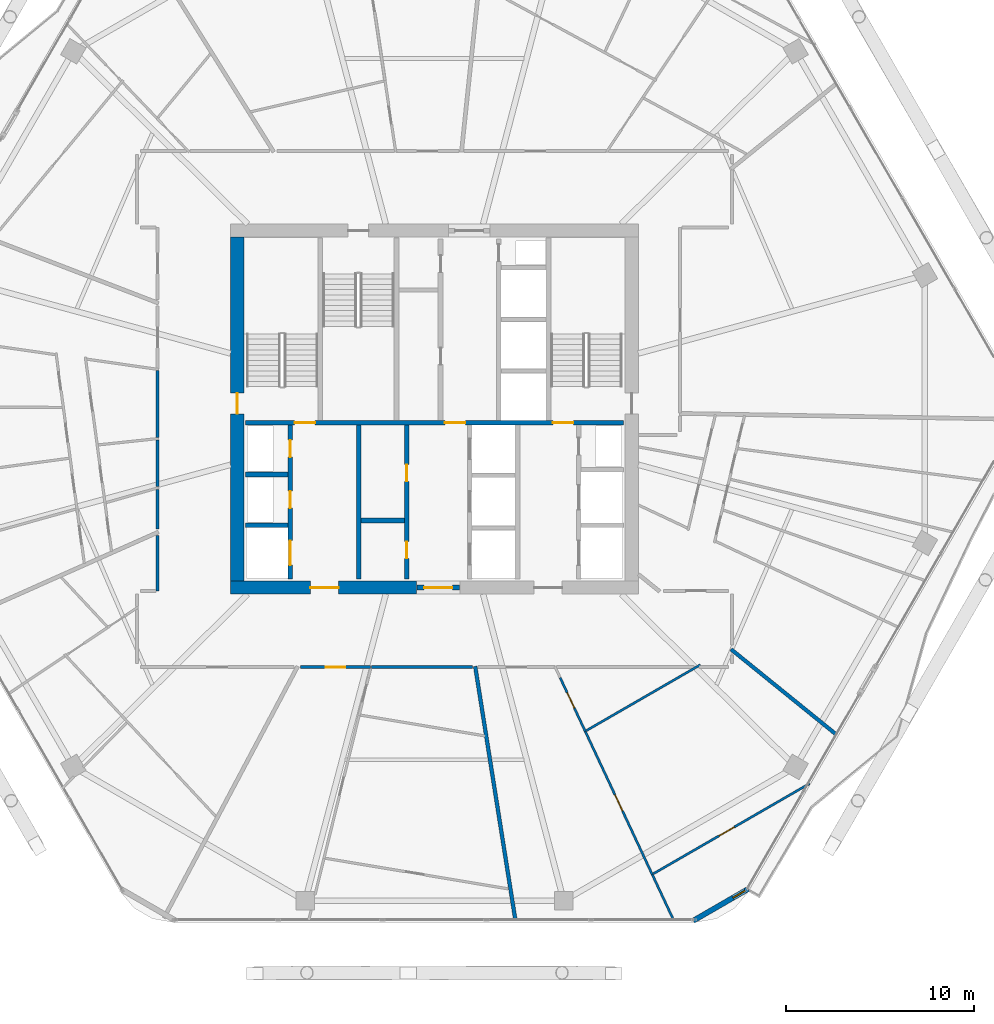
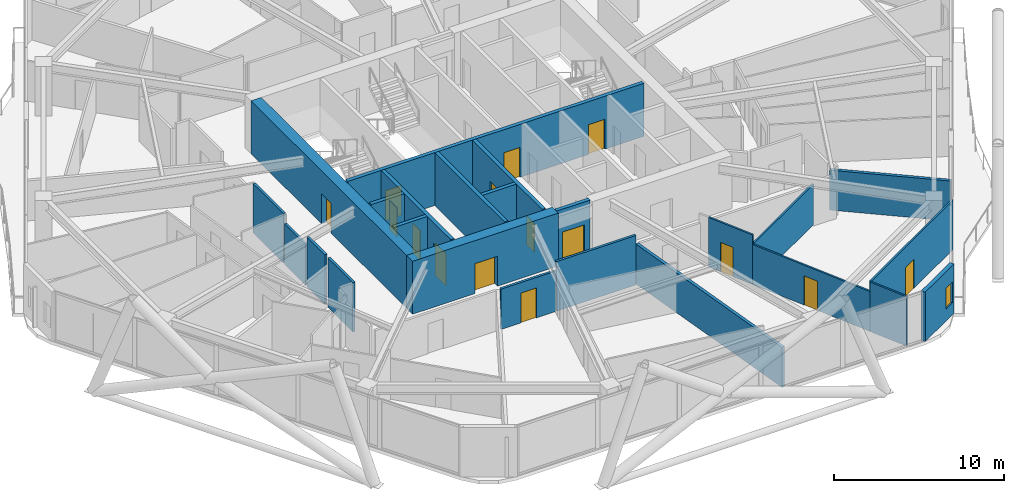
# One storey, part 23 of 30: 24 walls, 15 doors, 1 window, 16 openings.
"""IFC4 building model written with IfcOpenShell, lengths in metres."""

import ifcopenshell
import ifcopenshell.guid

model = None  # the IFC model being written
_history = None  # IfcOwnerHistory: only IFC2X3 demands one
_inside = {}  # id of a spatial element -> (the spatial element, [elements in it])
_under = {}  # id of a project, library or spatial element -> (it, [spatial elements below it])
_declared = {}  # id of a project -> (the project, [libraries it declares])
_typed = {}  # id of a type object -> (the type object, [elements of that type])
_made_of = {}  # id of a material, layer set ... -> (it, [elements and type objects made of it])


def new_model(schema):
    """Start an empty IFC model of exactly this schema.

    Asked for "IFC4X3", IfcOpenShell would pick the latest addendum, in which some entities
    have other attributes; the version numbers below select the first issue.
    IFC2X3 requires an IfcOwnerHistory on every rooted entity: one is made here for all.
    """
    global model, _history
    if schema == "IFC4X3":
        model = ifcopenshell.file(schema_version=(4, 3, 0, 0))
    else:
        model = ifcopenshell.file(schema=schema)
    _inside.clear()
    _under.clear()
    _declared.clear()
    _typed.clear()
    _made_of.clear()
    _history = None
    if model.schema == "IFC2X3":
        org = make("IfcOrganization", Name="unknown")
        user = make(
            "IfcPersonAndOrganization",
            ThePerson=make("IfcPerson", FamilyName="unknown"),
            TheOrganization=org,
        )
        app = make(
            "IfcApplication",
            ApplicationDeveloper=org,
            Version="unknown",
            ApplicationFullName="unknown",
            ApplicationIdentifier="unknown",
        )
        _history = make(
            "IfcOwnerHistory",
            OwningUser=user,
            OwningApplication=app,
            ChangeAction="ADDED",
            CreationDate=0,
        )
    return model


def make(cls, **values):
    """One entity of the class cls with the attributes given. An attribute that is None is left unset."""
    return model.create_entity(
        cls, **{name: value for name, value in values.items() if value is not None}
    )


def rooted(cls, **values):
    """An entity with a GlobalId (a new one), such as an element, a storey or a relation."""
    return make(cls, GlobalId=ifcopenshell.guid.new(), OwnerHistory=_history, **values)


def si_unit(unit_type, name, prefix=None):
    """IfcSIUnit, for example si_unit("LENGTHUNIT", "METRE", prefix="MILLI")."""
    return make("IfcSIUnit", UnitType=unit_type, Prefix=prefix, Name=name)


def assignment(units):
    """IfcUnitAssignment: the units of a project."""
    return None if units is None else make("IfcUnitAssignment", Units=units)


def point(xyz):
    """IfcCartesianPoint."""
    return None if xyz is None else make("IfcCartesianPoint", Coordinates=xyz)


def direction(xyz):
    """IfcDirection."""
    return None if xyz is None else make("IfcDirection", DirectionRatios=xyz)


def frame(location, z_axis=None, x_axis=None):
    """IfcAxis2Placement3D, a coordinate frame: its origin and axes. An axis left out is left unset."""
    return make(
        "IfcAxis2Placement3D",
        Location=point(location),
        Axis=direction(z_axis),
        RefDirection=direction(x_axis),
    )


def frame_2d(location, x_axis=None):
    """IfcAxis2Placement2D, a coordinate frame in the plane: its origin and x axis."""
    return make(
        "IfcAxis2Placement2D", Location=point(location), RefDirection=direction(x_axis)
    )


def origin():
    """The frame at (0, 0, 0) with its axes left unset."""
    return frame((0.0, 0.0, 0.0))


def place(relative_to, where):
    """IfcLocalPlacement: puts the frame where relative to a parent placement (None: the world)."""
    return make(
        "IfcLocalPlacement", PlacementRelTo=relative_to, RelativePlacement=where
    )


def context(
    kind, dimensions, precision=None, world=None, true_north=None, identifier=None
):
    """IfcGeometricRepresentationContext, for example the 3D "Model" context."""
    return make(
        "IfcGeometricRepresentationContext",
        ContextIdentifier=identifier,
        ContextType=kind,
        CoordinateSpaceDimension=dimensions,
        Precision=precision,
        WorldCoordinateSystem=world,
        TrueNorth=true_north,
    )


def subcontext(parent, identifier, kind, view, scale=None):
    """IfcGeometricRepresentationSubContext, for example "Body" below "Model"."""
    return make(
        "IfcGeometricRepresentationSubContext",
        ContextIdentifier=identifier,
        ContextType=kind,
        ParentContext=parent,
        TargetScale=scale,
        TargetView=view,
    )


def project(units=None, contexts=None):
    """IfcProject with its units and contexts."""
    return rooted(
        "IfcProject",
        Name="project",
        RepresentationContexts=contexts,
        UnitsInContext=assignment(units),
    )


def spatial(cls, under=None, at=None, **own):
    """A site, building, storey or space (cls), placed at a placement, below another one or the project."""
    s = rooted(cls, ObjectPlacement=at, **own)
    if under is not None:
        _under.setdefault(under.id(), (under, []))[1].append(s)
    return s


def profile(cls, at=None, kind="AREA", **sizes):
    """A parametric profile (cls). Its sizes go by their IFC names, for example OverallWidth=200.0."""
    return make(cls, ProfileType=kind, Position=at, **sizes)


def rectangle(**sizes):
    """IfcRectangleProfileDef."""
    return profile("IfcRectangleProfileDef", **sizes)


def extrude(swept, where, along, depth):
    """IfcExtrudedAreaSolid: the profile swept, set in the frame where, extruded along a direction by depth."""
    return make(
        "IfcExtrudedAreaSolid",
        SweptArea=swept,
        Position=where,
        ExtrudedDirection=direction(along),
        Depth=depth,
    )


def shape(context_of_items, identifier, shape_type, items):
    """IfcShapeRepresentation: the items that make up one representation, for example the "Body"."""
    return make(
        "IfcShapeRepresentation",
        ContextOfItems=context_of_items,
        RepresentationIdentifier=identifier,
        RepresentationType=shape_type,
        Items=items,
    )


def material(Name=None, Category=None):
    """IfcMaterial."""
    return make("IfcMaterial", Name=Name, Category=Category)


def layer(
    of_material, thickness, ventilated=None, Name=None, Category=None, Priority=None
):
    """IfcMaterialLayer: one layer of a wall or slab, of a material (None: an air gap)."""
    return make(
        "IfcMaterialLayer",
        Material=of_material,
        LayerThickness=thickness,
        IsVentilated=ventilated,
        Name=Name,
        Category=Category,
        Priority=Priority,
    )


def layer_set(layers, Name=None):
    """IfcMaterialLayerSet."""
    return make("IfcMaterialLayerSet", MaterialLayers=layers, LayerSetName=Name)


def made_of(thing, what):
    """Note that an element or type object is made of a material, layer set ...; save() writes the relation."""
    if what is not None:
        _made_of.setdefault(what.id(), (what, []))[1].append(thing)
    return thing


def type_object(cls, material=None, **own):
    """A type object (cls), such as IfcWallType, which elements share."""
    return made_of(rooted(cls, **own), material)


def element(
    cls,
    number,
    at=None,
    inside=None,
    cuts=None,
    type_object=None,
    material=None,
    context=None,
    identifier="Body",
    shape_type=None,
    held_by="IfcProductDefinitionShape",
    body=None,
    shapes=None,
    **own,
):
    """One element of the class cls, such as IfcWall. Its Tag is "e" and its number.

    at: its placement. inside: the storey or other place that contains it. cuts: it is an
    opening in that element (IfcRelVoidsElement). A single representation is given by context,
    identifier, shape_type and body (its items); several are given by shapes. held_by: the class
    of the entity that holds the representations. save() writes the other relations.
    """
    e = rooted(cls, Tag="e%d" % number, ObjectPlacement=at, **own)
    if body is not None:
        shapes = [shape(context, identifier, shape_type, body)]
    if shapes is not None:
        e.Representation = make(held_by, Representations=shapes)
    if inside is not None:
        _inside.setdefault(inside.id(), (inside, []))[1].append(e)
    if cuts is not None:
        rooted(
            "IfcRelVoidsElement", RelatingBuildingElement=cuts, RelatedOpeningElement=e
        )
    if type_object is not None:
        _typed.setdefault(type_object.id(), (type_object, []))[1].append(e)
    return made_of(e, material)


def fill(opening, filler):
    """IfcRelFillsElement: the door or window that sits in an opening."""
    return rooted(
        "IfcRelFillsElement",
        RelatingOpeningElement=opening,
        RelatedBuildingElement=filler,
    )


def aggregate(whole, parts):
    """IfcRelAggregates: a whole, such as a stair, and the parts it consists of."""
    return rooted("IfcRelAggregates", RelatingObject=whole, RelatedObjects=parts)


def save(model, path):
    """Write the relations noted so far, then the file.

    IfcRelAggregates (storeys below a building ...), IfcRelContainedInSpatialStructure (elements
    in a storey), IfcRelDefinesByType, IfcRelAssociatesMaterial and IfcRelDeclares: one each for
    every whole, place, type object, material and project.
    """
    for whole, parts in _under.values():
        aggregate(whole, parts)
    for where, things in _inside.values():
        rooted(
            "IfcRelContainedInSpatialStructure",
            RelatedElements=things,
            RelatingStructure=where,
        )
    for kind, things in _typed.values():
        rooted("IfcRelDefinesByType", RelatedObjects=things, RelatingType=kind)
    for what, things in _made_of.values():
        rooted("IfcRelAssociatesMaterial", RelatedObjects=things, RelatingMaterial=what)
    for by, libraries in _declared.values():
        rooted("IfcRelDeclares", RelatingContext=by, RelatedDefinitions=libraries)
    model.write(path)


model = new_model("IFC4")

# Units and contexts
model_context = context("Model", 3, precision=1e-05, world=origin(), true_north=direction((0.0, 1.0)))
body_context = subcontext(model_context, "Body", "Model", "MODEL_VIEW")
ifc_project = project(units=[si_unit("LENGTHUNIT", "METRE"), si_unit("AREAUNIT", "SQUARE_METRE"), si_unit("VOLUMEUNIT", "CUBIC_METRE"), si_unit("PLANEANGLEUNIT", "RADIAN"), si_unit("MASSUNIT", "GRAM", prefix="KILO")], contexts=[model_context])

# Site, building, storey
site_placement = place(None, origin())
site = spatial("IfcSite", under=ifc_project, at=site_placement, CompositionType="ELEMENT")
building_placement = place(site_placement, origin())
building = spatial("IfcBuilding", under=site, at=building_placement, Name="Zuhravey Tower", CompositionType="ELEMENT")
storey_placement = place(building_placement, frame((0.0, 0.0, 177.0)))
storey = spatial("IfcBuildingStorey", under=building, at=storey_placement, Name="L44", CompositionType="ELEMENT", Elevation=177.0)

# Wall, opening, door
ifc_material_1 = material(Name="Concrete C60/75", Category="concrete")
ifc_layer_1 = layer(ifc_material_1, 0.699951171875)
ifc_layer_set_1 = layer_set([ifc_layer_1], Name="Concrete C60/75")
wall_type_1 = type_object("IfcWallType", Name="Core Shear Wall 700", PredefinedType="SHEAR", material=ifc_layer_set_1)
wall_1_placement = place(storey_placement, frame((25.14990234375, 22.5, 0.0), z_axis=(0.0, 0.0, 1.0), x_axis=(1.0, 0.0, 0.0)))
wall_1 = element("IfcWall", 1, at=wall_1_placement, inside=storey, type_object=wall_type_1, Name="L44 South-West Core Shear Wall CW70", PredefinedType="SHEAR", context=body_context, shape_type="SweptSolid", body=[
    extrude(rectangle(XDim=9.900146484375, YDim=0.699951171875, at=frame_2d((4.9501953125, 0.0))), origin(), (0.0, 0.0, 1.0), 3.800048828125),
])
opening_1_placement = place(wall_1_placement, frame((4.25, 0.0, 0.0)))
opening_1 = element("IfcOpeningElement", 2, at=opening_1_placement, cuts=wall_1, Name="Opening FFD1", PredefinedType="OPENING", context=body_context, shape_type="SweptSolid", body=[
    extrude(rectangle(XDim=1.5, YDim=2.14990234375, at=frame_2d((0.75, 1.074951171875))), frame((0.0, 0.362060546875, 0.0), z_axis=(0.0, -1.0, 0.0), x_axis=(1.0, 0.0, 0.0)), (0.0, 0.0, 1.0), 0.723876953125),
])
ifc_material_2 = material(Name="Galvanised fire-rated steel leaf", Category="steel")
door_type_1 = type_object("IfcDoorType", Name="Firefighting Lobby Double Door 1500x2150", OperationType="DOUBLE_DOOR_SINGLE_SWING", PredefinedType="DOOR", material=ifc_material_2)
door_1_placement = place(opening_1_placement, origin())
door_1 = element("IfcDoor", 3, at=door_1_placement, inside=storey, type_object=door_type_1, Name="L44 Firefighting Lobby West Door", OperationType="DOUBLE_DOOR_SINGLE_SWING", OverallHeight=2.14990234375, OverallWidth=1.5, PredefinedType="DOOR", context=body_context, shape_type="SweptSolid", body=[
    extrude(rectangle(XDim=1.5, YDim=2.14990234375, at=frame_2d((0.75, 1.074951171875))), frame((0.0, 0.02490234375, 0.0), z_axis=(0.0, -1.0, 0.0), x_axis=(1.0, 0.0, 0.0)), (0.0, 0.0, 1.0), 0.050048828125),
])
fill(opening_1, door_1)

wall_2_placement = place(storey_placement, frame((25.5, 22.85009765625, 0.0), z_axis=(0.0, 0.0, 1.0), x_axis=(0.0, 1.0, 0.0)))
wall_2 = element("IfcWall", 4, at=wall_2_placement, inside=storey, type_object=wall_type_1, Name="L44 West Core Shear Wall CW70", PredefinedType="SHEAR", context=body_context, shape_type="SweptSolid", body=[
    extrude(rectangle(XDim=18.2998046875, YDim=0.699951171875, at=frame_2d((9.14990234375, 0.0))), origin(), (0.0, 0.0, 1.0), 3.800048828125),
])
opening_2_placement = place(wall_2_placement, frame((8.89990234375, 0.0, 0.0)))
opening_2 = element("IfcOpeningElement", 5, at=opening_2_placement, cuts=wall_2, Name="Opening STD1", PredefinedType="OPENING", context=body_context, shape_type="SweptSolid", body=[
    extrude(rectangle(XDim=1.10009765625, YDim=2.14990234375, at=frame_2d((0.550048828125, 1.074951171875))), frame((0.0, 0.362060546875, 0.0), z_axis=(0.0, -1.0, 0.0), x_axis=(1.0, 0.0, 0.0)), (0.0, 0.0, 1.0), 0.723876953125),
])
door_type_2 = type_object("IfcDoorType", Name="Protected Stair Fire Door 1100x2150", OperationType="NOTDEFINED", PredefinedType="USERDEFINED", material=ifc_material_2)
door_2_placement = place(opening_2_placement, frame((1.10009765625, 0.0, 0.0), z_axis=(0.0, 0.0, 1.0), x_axis=(-1.0, 0.0, 0.0)))
door_2 = element("IfcDoor", 6, at=door_2_placement, inside=storey, type_object=door_type_2, Name="L44 Stair ST1 Door", ObjectType="EXITDOOR", OperationType="SINGLE_SWING_LEFT", OverallHeight=2.14990234375, OverallWidth=1.10009765625, PredefinedType="USERDEFINED", context=body_context, shape_type="SweptSolid", body=[
    extrude(rectangle(XDim=1.10009765625, YDim=2.14990234375, at=frame_2d((0.550048828125, 1.074951171875))), frame((0.0, 0.02490234375, 0.0), z_axis=(0.0, -1.0, 0.0), x_axis=(1.0, 0.0, 0.0)), (0.0, 0.0, 1.0), 0.050048828125),
])
fill(opening_2, door_2)

ifc_material_3 = material(Name="Gypsum fire-rated stud partition")
ifc_layer_2 = layer(ifc_material_3, 0.159912109375)
ifc_layer_set_2 = layer_set([ifc_layer_2], Name="Gypsum fire-rated stud partition")
wall_type_2 = type_object("IfcWallType", Name="Corridor Fire Partition 160", PredefinedType="PARTITIONING", material=ifc_layer_set_2)
wall_3_placement = place(storey_placement, frame((28.875244140625, 18.27001953125, 0.0), z_axis=(0.0, 0.0, 1.0), x_axis=(1.0, 0.0, 0.0)))
wall_3 = element("IfcWall", 7, at=wall_3_placement, inside=storey, type_object=wall_type_2, Name="L44 IW16 Partition 046", PredefinedType="PARTITIONING", context=body_context, shape_type="SweptSolid", body=[
    extrude(rectangle(XDim=3.7265625, YDim=0.159912109375, at=frame_2d((1.86328125, 0.0))), origin(), (0.0, 0.0, 1.0), 2.89990234375),
])
opening_3_placement = place(wall_3_placement, frame((1.33837890625, 0.0, 0.0)))
opening_3 = element("IfcOpeningElement", 8, at=opening_3_placement, cuts=wall_3, Name="Opening APD1", PredefinedType="OPENING", context=body_context, shape_type="SweptSolid", body=[
    extrude(rectangle(XDim=1.050048828125, YDim=2.14990234375, at=frame_2d((0.52490234375, 1.074951171875))), frame((0.0, 0.092041015625, 0.0), z_axis=(0.0, -1.0, 0.0), x_axis=(1.0, 0.0, 0.0)), (0.0, 0.0, 1.0), 0.183837890625),
])
ifc_material_4 = material(Name="Solid-core oak fire-rated leaf")
door_type_3 = type_object("IfcDoorType", Name="Apartment Entrance Fire Door 1050x2150", OperationType="NOTDEFINED", PredefinedType="DOOR", material=ifc_material_4)
door_3_placement = place(opening_3_placement, frame((1.050048828125, 0.0, 0.0), z_axis=(0.0, 0.0, 1.0), x_axis=(-1.0, 0.0, 0.0)))
door_3 = element("IfcDoor", 9, at=door_3_placement, inside=storey, type_object=door_type_3, Name="L44 Door 046.1", OperationType="SINGLE_SWING_LEFT", OverallHeight=2.14990234375, OverallWidth=1.050048828125, PredefinedType="DOOR", context=body_context, shape_type="SweptSolid", body=[
    extrude(rectangle(XDim=1.050048828125, YDim=2.14990234375, at=frame_2d((0.52490234375, 1.074951171875))), frame((0.0, 0.02490234375, 0.0), z_axis=(0.0, -1.0, 0.0), x_axis=(1.0, 0.0, 0.0)), (0.0, 0.0, 1.0), 0.050048828125),
])
fill(opening_3, door_3)

# Walls
wall_4_placement = place(storey_placement, frame((21.27001953125, 34.048583984375, 0.0), z_axis=(0.0, 0.0, 1.0), x_axis=(0.0, -1.0, 0.0)))
element("IfcWall", 10, at=wall_4_placement, inside=storey, type_object=wall_type_2, Name="L44 IW16 Partition 111", PredefinedType="PARTITIONING", context=body_context, shape_type="SweptSolid", body=[
    extrude(rectangle(XDim=3.548095703125, YDim=0.159912109375, at=frame_2d((1.77392578125, 0.0))), origin(), (0.0, 0.0, 1.0), 3.550048828125),
])
wall_5_placement = place(storey_placement, frame((21.27001953125, 30.36376953125, 0.0), z_axis=(0.0, 0.0, 1.0), x_axis=(0.0, -1.0, 0.0)))
element("IfcWall", 11, at=wall_5_placement, inside=storey, type_object=wall_type_2, Name="L44 IW16 Partition 112", PredefinedType="PARTITIONING", context=body_context, shape_type="SweptSolid", body=[
    extrude(rectangle(XDim=2.488037109375, YDim=0.159912109375, at=frame_2d((1.244140625, 0.0))), origin(), (0.0, 0.0, 1.0), 2.89990234375),
])
wall_6_placement = place(storey_placement, frame((21.27001953125, 27.734375, 0.0), z_axis=(0.0, 0.0, 1.0), x_axis=(0.0, -1.0, 0.0)))
element("IfcWall", 12, at=wall_6_placement, inside=storey, type_object=wall_type_2, Name="L44 IW16 Partition 113", PredefinedType="PARTITIONING", context=body_context, shape_type="SweptSolid", body=[
    extrude(rectangle(XDim=2.117431640625, YDim=0.159912109375, at=frame_2d((1.05859375, 0.0))), origin(), (0.0, 0.0, 1.0), 3.550048828125),
])
wall_7_placement = place(storey_placement, frame((21.27001953125, 25.26513671875, 0.0), z_axis=(0.0, 0.0, 1.0), x_axis=(0.0, -1.0, 0.0)))
element("IfcWall", 13, at=wall_7_placement, inside=storey, type_object=wall_type_2, Name="L44 IW16 Partition 115", PredefinedType="PARTITIONING", context=body_context, shape_type="SweptSolid", body=[
    extrude(rectangle(XDim=2.93505859375, YDim=0.159912109375, at=frame_2d((1.467529296875, 0.0))), origin(), (0.0, 0.0, 1.0), 3.550048828125),
])
wall_8_placement = place(storey_placement, frame((32.64306640625, 18.27001953125, 0.0), z_axis=(0.0, 0.0, 1.0), x_axis=(1.0, 0.0, 0.0)))
element("IfcWall", 14, at=wall_8_placement, inside=storey, type_object=wall_type_2, Name="L44 IW16 Partition 118", PredefinedType="PARTITIONING", context=body_context, shape_type="SweptSolid", body=[
    extrude(rectangle(XDim=5.388671875, YDim=0.159912109375, at=frame_2d((2.6943359375, 0.0))), origin(), (0.0, 0.0, 1.0), 3.550048828125),
])

# Wall, opening, window
ifc_material_5 = material(Name="Precast concrete C40/50", Category="concrete")
ifc_layer_3 = layer(ifc_material_5, 0.280029296875)
ifc_layer_set_3 = layer_set([ifc_layer_3], Name="Precast concrete C40/50")
wall_type_3 = type_object("IfcWallType", Name="Crown Architectural Wall 280", PredefinedType="SOLIDWALL", material=ifc_layer_set_3)
wall_9_placement = place(storey_placement, frame((52.693115234375, 6.451904296875, 0.0), z_axis=(0.0, 0.0, 1.0), x_axis=(-0.866020068361, -0.500009241111, 0.0)))
wall_9 = element("IfcWall", 15, at=wall_9_placement, inside=storey, type_object=wall_type_3, Name="L44 Rounded Corner Closure Wall EW28-02", PredefinedType="SOLIDWALL", context=body_context, shape_type="SweptSolid", body=[
    extrude(rectangle(XDim=3.365234375, YDim=0.280029296875, at=frame_2d((1.6826171875, 0.0))), origin(), (0.0, 0.0, 1.0), 3.550048828125),
])
opening_4_placement = place(wall_9_placement, frame((0.17919921875, 0.0, 0.85009765625)))
opening_4 = element("IfcOpeningElement", 16, at=opening_4_placement, cuts=wall_9, Name="Opening WN5", PredefinedType="OPENING", context=body_context, shape_type="SweptSolid", body=[
    extrude(rectangle(XDim=0.75, YDim=1.5, at=frame_2d((0.375, 0.75))), frame((0.0, 0.152099609375, 0.0), z_axis=(0.0, -1.0, 0.0), x_axis=(1.0, 0.0, 0.0)), (0.0, 0.0, 1.0), 0.303955078125),
])
ifc_material_6 = material(Name="Thermally broken aluminium and triple low-E glass", Category="aluminium")
window_type = type_object("IfcWindowType", Name="Residential Corner Casement Window 750x1500", PartitioningType="SINGLE_PANEL", PredefinedType="WINDOW", material=ifc_material_6)
window_placement = place(opening_4_placement, origin())
window = element("IfcWindow", 17, at=window_placement, inside=storey, type_object=window_type, Name="L44 Corner Casement Window WN5-02.1", OverallHeight=1.5, OverallWidth=0.75, PartitioningType="SINGLE_PANEL", PredefinedType="WINDOW", context=body_context, shape_type="SweptSolid", body=[
    extrude(rectangle(XDim=0.75, YDim=1.5, at=frame_2d((0.375, 0.75))), frame((0.0, 0.030029296875, 0.0), z_axis=(0.0, -1.0, 0.0), x_axis=(1.0, 0.0, 0.0)), (0.0, 0.0, 1.0), 0.06005859375),
])
fill(opening_4, window)

# Wall, opening, door
ifc_material_7 = material(Name="Concrete C50/60", Category="concrete")
ifc_layer_4 = layer(ifc_material_7, 0.25)
ifc_layer_set_4 = layer_set([ifc_layer_4], Name="Concrete C50/60")
wall_type_4 = type_object("IfcWallType", Name="Firefighting Shaft & Stair Wall 250", PredefinedType="SOLIDWALL", material=ifc_layer_set_4)
wall_10_placement = place(storey_placement, frame((35.06005859375, 22.5, 0.0), z_axis=(0.0, 0.0, 1.0), x_axis=(1.0, 0.0, 0.0)))
wall_10 = element("IfcWall", 18, at=wall_10_placement, inside=storey, type_object=wall_type_4, Name="L44 FW25 Shaft Wall 001", PredefinedType="SOLIDWALL", context=body_context, shape_type="SweptSolid", body=[
    extrude(rectangle(XDim=2.280029296875, YDim=0.25, at=frame_2d((1.14013671875, 0.0))), origin(), (0.0, 0.0, 1.0), 3.800048828125),
])
opening_5_placement = place(wall_10_placement, frame((0.389892578125, 0.0, 0.0)))
opening_5 = element("IfcOpeningElement", 19, at=opening_5_placement, cuts=wall_10, Name="Opening FFD1", PredefinedType="OPENING", context=body_context, shape_type="SweptSolid", body=[
    extrude(rectangle(XDim=1.5, YDim=2.14990234375, at=frame_2d((0.75, 1.074951171875))), frame((0.0, 0.136962890625, 0.0), z_axis=(0.0, -1.0, 0.0), x_axis=(1.0, 0.0, 0.0)), (0.0, 0.0, 1.0), 0.27392578125),
])
door_4_placement = place(opening_5_placement, frame((1.5, 0.0, 0.0), z_axis=(0.0, 0.0, 1.0), x_axis=(-1.0, 0.0, 0.0)))
door_4 = element("IfcDoor", 20, at=door_4_placement, inside=storey, type_object=door_type_1, Name="L44 South Lift Lobby Exit Door", OperationType="DOUBLE_DOOR_SINGLE_SWING", OverallHeight=2.14990234375, OverallWidth=1.5, PredefinedType="DOOR", context=body_context, shape_type="SweptSolid", body=[
    extrude(rectangle(XDim=1.5, YDim=2.14990234375, at=frame_2d((0.75, 1.074951171875))), frame((0.0, 0.02490234375, 0.0), z_axis=(0.0, -1.0, 0.0), x_axis=(1.0, 0.0, 0.0)), (0.0, 0.0, 1.0), 0.050048828125),
])
fill(opening_5, door_4)

# Wall, openings, doors
wall_11_placement = place(storey_placement, frame((25.949951171875, 31.27490234375, 0.0), z_axis=(0.0, 0.0, 1.0), x_axis=(1.0, 0.0, 0.0)))
wall_11 = element("IfcWall", 21, at=wall_11_placement, inside=storey, type_object=wall_type_4, Name="L44 FW25 Shaft Wall 003", PredefinedType="SOLIDWALL", context=body_context, shape_type="SweptSolid", body=[
    extrude(rectangle(XDim=20.10009765625, YDim=0.25, at=frame_2d((10.050048828125, 0.0))), origin(), (0.0, 0.0, 1.0), 3.800048828125),
])
opening_6_placement = place(wall_11_placement, frame((2.60009765625, 0.0, 0.0)))
opening_6 = element("IfcOpeningElement", 22, at=opening_6_placement, cuts=wall_11, Name="Opening STD1", PredefinedType="OPENING", context=body_context, shape_type="SweptSolid", body=[
    extrude(rectangle(XDim=1.10009765625, YDim=2.14990234375, at=frame_2d((0.550048828125, 1.074951171875))), frame((0.0, 0.136962890625, 0.0), z_axis=(0.0, -1.0, 0.0), x_axis=(1.0, 0.0, 0.0)), (0.0, 0.0, 1.0), 0.27392578125),
])
opening_7_placement = place(wall_11_placement, frame((10.60009765625, 0.0, 0.0)))
opening_7 = element("IfcOpeningElement", 23, at=opening_7_placement, cuts=wall_11, Name="Opening STD1", PredefinedType="OPENING", context=body_context, shape_type="SweptSolid", body=[
    extrude(rectangle(XDim=1.10009765625, YDim=2.14990234375, at=frame_2d((0.550048828125, 1.074951171875))), frame((0.0, 0.136962890625, 0.0), z_axis=(0.0, -1.0, 0.0), x_axis=(1.0, 0.0, 0.0)), (0.0, 0.0, 1.0), 0.27392578125),
])
opening_8_placement = place(wall_11_placement, frame((16.35009765625, 0.0, 0.0)))
opening_8 = element("IfcOpeningElement", 24, at=opening_8_placement, cuts=wall_11, Name="Opening STD1", PredefinedType="OPENING", context=body_context, shape_type="SweptSolid", body=[
    extrude(rectangle(XDim=1.10009765625, YDim=2.14990234375, at=frame_2d((0.550048828125, 1.074951171875))), frame((0.0, 0.136962890625, 0.0), z_axis=(0.0, -1.0, 0.0), x_axis=(1.0, 0.0, 0.0)), (0.0, 0.0, 1.0), 0.27392578125),
])
door_5_placement = place(opening_6_placement, origin())
door_5 = element("IfcDoor", 25, at=door_5_placement, inside=storey, type_object=door_type_2, Name="L44 FFL-W to ST1 Door", ObjectType="EXITDOOR", OperationType="SINGLE_SWING_RIGHT", OverallHeight=2.14990234375, OverallWidth=1.10009765625, PredefinedType="USERDEFINED", context=body_context, shape_type="SweptSolid", body=[
    extrude(rectangle(XDim=1.10009765625, YDim=2.14990234375, at=frame_2d((0.550048828125, 1.074951171875))), frame((0.0, 0.02490234375, 0.0), z_axis=(0.0, -1.0, 0.0), x_axis=(1.0, 0.0, 0.0)), (0.0, 0.0, 1.0), 0.050048828125),
])
fill(opening_6, door_5)
door_6_placement = place(opening_7_placement, origin())
door_6 = element("IfcDoor", 26, at=door_6_placement, inside=storey, type_object=door_type_2, Name="L44 Core Lobby Link Door", ObjectType="EXITDOOR", OperationType="SINGLE_SWING_LEFT", OverallHeight=2.14990234375, OverallWidth=1.10009765625, PredefinedType="USERDEFINED", context=body_context, shape_type="SweptSolid", body=[
    extrude(rectangle(XDim=1.10009765625, YDim=2.14990234375, at=frame_2d((0.550048828125, 1.074951171875))), frame((0.0, 0.02490234375, 0.0), z_axis=(0.0, -1.0, 0.0), x_axis=(1.0, 0.0, 0.0)), (0.0, 0.0, 1.0), 0.050048828125),
])
fill(opening_7, door_6)
door_7_placement = place(opening_8_placement, origin())
door_7 = element("IfcDoor", 27, at=door_7_placement, inside=storey, type_object=door_type_2, Name="L44 FFL-E to ST2 Door", ObjectType="EXITDOOR", OperationType="SINGLE_SWING_RIGHT", OverallHeight=2.14990234375, OverallWidth=1.10009765625, PredefinedType="USERDEFINED", context=body_context, shape_type="SweptSolid", body=[
    extrude(rectangle(XDim=1.10009765625, YDim=2.14990234375, at=frame_2d((0.550048828125, 1.074951171875))), frame((0.0, 0.02490234375, 0.0), z_axis=(0.0, -1.0, 0.0), x_axis=(1.0, 0.0, 0.0)), (0.0, 0.0, 1.0), 0.050048828125),
])
fill(opening_8, door_7)

# Walls
for number, where, z_axis, x_axis, name in (
    (28, (25.949951171875, 25.824951171875, 0.0), (0.0, 0.0, 1.0), (1.0, 0.0, 0.0), "L44 FW25 Shaft Wall 009"),
    (29, (25.949951171875, 28.52490234375, 0.0), (0.0, 0.0, 1.0), (1.0, 0.0, 0.0), "L44 FW25 Shaft Wall 010"),
):
    element("IfcWall", number, at=place(storey_placement, frame(where, z_axis=z_axis, x_axis=x_axis)), inside=storey, type_object=wall_type_4, Name=name, PredefinedType="SOLIDWALL", context=body_context, shape_type="SweptSolid", body=[
        extrude(rectangle(XDim=2.25, YDim=0.25, at=frame_2d((1.125, 0.0))), origin(), (0.0, 0.0, 1.0), 3.800048828125),
    ])

# Wall, openings, doors
wall_12_placement = place(storey_placement, frame((28.324951171875, 22.949951171875, 0.0), z_axis=(0.0, 0.0, 1.0), x_axis=(0.0, 1.0, 0.0)))
wall_12 = element("IfcWall", 30, at=wall_12_placement, inside=storey, type_object=wall_type_4, Name="L44 FW25 Shaft Wall 011", PredefinedType="SOLIDWALL", context=body_context, shape_type="SweptSolid", body=[
    extrude(rectangle(XDim=8.199951171875, YDim=0.25, at=frame_2d((4.10009765625, 0.0))), origin(), (0.0, 0.0, 1.0), 3.800048828125),
])
opening_9_placement = place(wall_12_placement, frame((0.75, 0.0, 0.0)))
opening_9 = element("IfcOpeningElement", 31, at=opening_9_placement, cuts=wall_12, Name="Opening LD2", PredefinedType="OPENING", context=body_context, shape_type="SweptSolid", body=[
    extrude(rectangle(XDim=1.300048828125, YDim=2.300048828125, at=frame_2d((0.64990234375, 1.14990234375))), frame((0.0, 0.136962890625, 0.0), z_axis=(0.0, -1.0, 0.0), x_axis=(1.0, 0.0, 0.0)), (0.0, 0.0, 1.0), 0.27392578125),
])
opening_10_placement = place(wall_12_placement, frame((3.780029296875, 0.0, 0.0)))
opening_10 = element("IfcOpeningElement", 32, at=opening_10_placement, cuts=wall_12, Name="Opening RSD1", PredefinedType="OPENING", context=body_context, shape_type="SweptSolid", body=[
    extrude(rectangle(XDim=0.89990234375, YDim=2.10009765625, at=frame_2d((0.449951171875, 1.050048828125))), frame((0.0, 0.136962890625, 0.0), z_axis=(0.0, -1.0, 0.0), x_axis=(1.0, 0.0, 0.0)), (0.0, 0.0, 1.0), 0.27392578125),
])
opening_11_placement = place(wall_12_placement, frame((6.5, 0.0, 0.0)))
opening_11 = element("IfcOpeningElement", 33, at=opening_11_placement, cuts=wall_12, Name="Opening RSD1", PredefinedType="OPENING", context=body_context, shape_type="SweptSolid", body=[
    extrude(rectangle(XDim=0.89990234375, YDim=2.10009765625, at=frame_2d((0.449951171875, 1.050048828125))), frame((0.0, 0.136962890625, 0.0), z_axis=(0.0, -1.0, 0.0), x_axis=(1.0, 0.0, 0.0)), (0.0, 0.0, 1.0), 0.27392578125),
])
ifc_material_8 = material(Name="Brushed stainless steel", Category="steel")
door_type_4 = type_object("IfcDoorType", Name="Freight & Stretcher Lift Sliding Door 1300x2300", OperationType="DOUBLE_DOOR_SLIDING", PredefinedType="DOOR", material=ifc_material_8)
door_8_placement = place(opening_9_placement, frame((1.300048828125, 0.0, 0.0), z_axis=(0.0, 0.0, 1.0), x_axis=(-1.0, 0.0, 0.0)))
door_8 = element("IfcDoor", 34, at=door_8_placement, inside=storey, type_object=door_type_4, Name="L44 Lift FF1 Landing Door", OperationType="DOUBLE_DOOR_SLIDING", OverallHeight=2.300048828125, OverallWidth=1.300048828125, PredefinedType="DOOR", context=body_context, shape_type="SweptSolid", body=[
    extrude(rectangle(XDim=1.300048828125, YDim=2.300048828125, at=frame_2d((0.64990234375, 1.14990234375))), frame((0.0, 0.02490234375, 0.0), z_axis=(0.0, -1.0, 0.0), x_axis=(1.0, 0.0, 0.0)), (0.0, 0.0, 1.0), 0.050048828125),
])
fill(opening_9, door_8)
ifc_material_9 = material(Name="Galvanised fire-rated steel access leaf", Category="steel")
door_type_5 = type_object("IfcDoorType", Name="Riser & Shaft Access Fire Door 900x2100", OperationType="NOTDEFINED", PredefinedType="DOOR", material=ifc_material_9)
door_9_placement = place(opening_10_placement, frame((0.89990234375, 0.0, 0.0), z_axis=(0.0, 0.0, 1.0), x_axis=(-1.0, 0.0, 0.0)))
door_9 = element("IfcDoor", 35, at=door_9_placement, inside=storey, type_object=door_type_5, Name="L44 Electrical Riser Door", OperationType="SINGLE_SWING_RIGHT", OverallHeight=2.10009765625, OverallWidth=0.89990234375, PredefinedType="DOOR", context=body_context, shape_type="SweptSolid", body=[
    extrude(rectangle(XDim=0.89990234375, YDim=2.10009765625, at=frame_2d((0.449951171875, 1.050048828125))), frame((0.0, 0.02490234375, 0.0), z_axis=(0.0, -1.0, 0.0), x_axis=(1.0, 0.0, 0.0)), (0.0, 0.0, 1.0), 0.050048828125),
])
fill(opening_10, door_9)
door_10_placement = place(opening_11_placement, frame((0.89990234375, 0.0, 0.0), z_axis=(0.0, 0.0, 1.0), x_axis=(-1.0, 0.0, 0.0)))
door_10 = element("IfcDoor", 36, at=door_10_placement, inside=storey, type_object=door_type_5, Name="L44 Smoke Shaft Access Door", OperationType="SINGLE_SWING_LEFT", OverallHeight=2.10009765625, OverallWidth=0.89990234375, PredefinedType="DOOR", context=body_context, shape_type="SweptSolid", body=[
    extrude(rectangle(XDim=0.89990234375, YDim=2.10009765625, at=frame_2d((0.449951171875, 1.050048828125))), frame((0.0, 0.02490234375, 0.0), z_axis=(0.0, -1.0, 0.0), x_axis=(1.0, 0.0, 0.0)), (0.0, 0.0, 1.0), 0.050048828125),
])
fill(opening_11, door_10)

# Walls
wall_13_placement = place(storey_placement, frame((31.97509765625, 22.949951171875, 0.0), z_axis=(0.0, 0.0, 1.0), x_axis=(0.0, 1.0, 0.0)))
element("IfcWall", 37, at=wall_13_placement, inside=storey, type_object=wall_type_4, Name="L44 FW25 Shaft Wall 012", PredefinedType="SOLIDWALL", context=body_context, shape_type="SweptSolid", body=[
    extrude(rectangle(XDim=8.199951171875, YDim=0.25, at=frame_2d((4.10009765625, 0.0))), origin(), (0.0, 0.0, 1.0), 3.800048828125),
])
wall_14_placement = place(storey_placement, frame((32.10009765625, 26.074951171875, 0.0), z_axis=(0.0, 0.0, 1.0), x_axis=(1.0, 0.0, 0.0)))
element("IfcWall", 38, at=wall_14_placement, inside=storey, type_object=wall_type_4, Name="L44 FW25 Shaft Wall 013", PredefinedType="SOLIDWALL", context=body_context, shape_type="SweptSolid", body=[
    extrude(rectangle(XDim=2.2998046875, YDim=0.25, at=frame_2d((1.14990234375, 0.0))), origin(), (0.0, 0.0, 1.0), 3.800048828125),
])

# Wall, openings, doors
wall_15_placement = place(storey_placement, frame((34.52490234375, 22.949951171875, 0.0), z_axis=(0.0, 0.0, 1.0), x_axis=(0.0, 1.0, 0.0)))
wall_15 = element("IfcWall", 39, at=wall_15_placement, inside=storey, type_object=wall_type_4, Name="L44 FW25 Shaft Wall 014", PredefinedType="SOLIDWALL", context=body_context, shape_type="SweptSolid", body=[
    extrude(rectangle(XDim=8.199951171875, YDim=0.25, at=frame_2d((4.10009765625, 0.0))), origin(), (0.0, 0.0, 1.0), 3.800048828125),
])
opening_12_placement = place(wall_15_placement, frame((1.10009765625, 0.0, 0.0)))
opening_12 = element("IfcOpeningElement", 40, at=opening_12_placement, cuts=wall_15, Name="Opening RSD1", PredefinedType="OPENING", context=body_context, shape_type="SweptSolid", body=[
    extrude(rectangle(XDim=0.89990234375, YDim=2.10009765625, at=frame_2d((0.449951171875, 1.050048828125))), frame((0.0, 0.136962890625, 0.0), z_axis=(0.0, -1.0, 0.0), x_axis=(1.0, 0.0, 0.0)), (0.0, 0.0, 1.0), 0.27392578125),
])
opening_13_placement = place(wall_15_placement, frame((5.199951171875, 0.0, 0.0)))
opening_13 = element("IfcOpeningElement", 41, at=opening_13_placement, cuts=wall_15, Name="Opening RSD1", PredefinedType="OPENING", context=body_context, shape_type="SweptSolid", body=[
    extrude(rectangle(XDim=0.89990234375, YDim=2.10009765625, at=frame_2d((0.449951171875, 1.050048828125))), frame((0.0, 0.136962890625, 0.0), z_axis=(0.0, -1.0, 0.0), x_axis=(1.0, 0.0, 0.0)), (0.0, 0.0, 1.0), 0.27392578125),
])
door_11_placement = place(opening_12_placement, origin())
door_11 = element("IfcDoor", 42, at=door_11_placement, inside=storey, type_object=door_type_5, Name="L44 Metering Room Door", OperationType="SINGLE_SWING_RIGHT", OverallHeight=2.10009765625, OverallWidth=0.89990234375, PredefinedType="DOOR", context=body_context, shape_type="SweptSolid", body=[
    extrude(rectangle(XDim=0.89990234375, YDim=2.10009765625, at=frame_2d((0.449951171875, 1.050048828125))), frame((0.0, 0.02490234375, 0.0), z_axis=(0.0, -1.0, 0.0), x_axis=(1.0, 0.0, 0.0)), (0.0, 0.0, 1.0), 0.050048828125),
])
fill(opening_12, door_11)
door_12_placement = place(opening_13_placement, origin())
door_12 = element("IfcDoor", 43, at=door_12_placement, inside=storey, type_object=door_type_5, Name="L44 Housekeeping Supply Door", OperationType="SINGLE_SWING_LEFT", OverallHeight=2.10009765625, OverallWidth=0.89990234375, PredefinedType="DOOR", context=body_context, shape_type="SweptSolid", body=[
    extrude(rectangle(XDim=0.89990234375, YDim=2.10009765625, at=frame_2d((0.449951171875, 1.050048828125))), frame((0.0, 0.02490234375, 0.0), z_axis=(0.0, -1.0, 0.0), x_axis=(1.0, 0.0, 0.0)), (0.0, 0.0, 1.0), 0.050048828125),
])
fill(opening_13, door_12)

# Walls
ifc_material_10 = material(Name="Gypsum double-stud party assembly")
ifc_layer_5 = layer(ifc_material_10, 0.199951171875)
ifc_layer_set_5 = layer_set([ifc_layer_5], Name="Gypsum double-stud party assembly")
wall_type_5 = type_object("IfcWallType", Name="Inter-Tenancy Party Wall 200", PredefinedType="PARTITIONING", material=ifc_layer_set_5)
wall_16_placement = place(storey_placement, frame((38.168212890625, 18.31005859375, 0.0), z_axis=(0.0, 0.0, 1.0), x_axis=(0.156441591032, -0.987687211923, 0.0)))
element("IfcWall", 44, at=wall_16_placement, inside=storey, type_object=wall_type_5, Name="L44 IW20 Partition 091", PredefinedType="PARTITIONING", context=body_context, shape_type="SweptSolid", body=[
    extrude(rectangle(XDim=13.661376953125, YDim=0.199951171875, at=frame_2d((6.83056640625, 0.0))), origin(), (0.0, 0.0, 1.0), 2.8701171875),
])
wall_17_placement = place(storey_placement, frame((51.7900390625, 19.21337890625, 0.0), z_axis=(0.0, 0.0, 1.0), x_axis=(0.777161996324, -0.629300589122, 0.0)))
element("IfcWall", 45, at=wall_17_placement, inside=storey, type_object=wall_type_5, Name="L44 IW20 Partition 096", PredefinedType="PARTITIONING", context=body_context, shape_type="SweptSolid", body=[
    extrude(rectangle(XDim=7.203857421875, YDim=0.199951171875, at=frame_2d((3.60205078125, 0.0))), origin(), (0.0, 0.0, 1.0), 2.8701171875),
])

# Wall, opening, door
ifc_material_11 = material(Name="Gypsum metal-stud partition")
ifc_layer_6 = layer(ifc_material_11, 0.1201171875)
ifc_layer_set_6 = layer_set([ifc_layer_6], Name="Gypsum metal-stud partition")
wall_type_6 = type_object("IfcWallType", Name="Unit Internal Partition 120", PredefinedType="PARTITIONING", material=ifc_layer_set_6)
wall_18_placement = place(storey_placement, frame((42.6923828125, 17.699951171875, 0.0), z_axis=(0.0, 0.0, 1.0), x_axis=(0.423922627961, -0.905698407585, 0.0)))
wall_18 = element("IfcWall", 46, at=wall_18_placement, inside=storey, type_object=wall_type_6, Name="L44 IW12 Partition 047", PredefinedType="PARTITIONING", context=body_context, shape_type="SweptSolid", body=[
    extrude(rectangle(XDim=3.169189453125, YDim=0.1201171875, at=frame_2d((1.58447265625, 0.0))), origin(), (0.0, 0.0, 1.0), 3.550048828125),
])
opening_14_placement = place(wall_18_placement, frame((0.881103515625, 0.0, 0.0)))
opening_14 = element("IfcOpeningElement", 47, at=opening_14_placement, cuts=wall_18, Name="Opening WCD1", PredefinedType="OPENING", context=body_context, shape_type="SweptSolid", body=[
    extrude(rectangle(XDim=0.89990234375, YDim=2.10009765625, at=frame_2d((0.449951171875, 1.050048828125))), frame((0.0, 0.072021484375, 0.0), z_axis=(0.0, -1.0, 0.0), x_axis=(1.0, 0.0, 0.0)), (0.0, 0.0, 1.0), 0.14404296875),
])
ifc_material_12 = material(Name="Moisture-resistant timber leaf", Category="wood")
door_type_6 = type_object("IfcDoorType", Name="Bathroom & WC Internal Door 900x2100", OperationType="NOTDEFINED", PredefinedType="DOOR", material=ifc_material_12)
door_13_placement = place(opening_14_placement, origin())
door_13 = element("IfcDoor", 48, at=door_13_placement, inside=storey, type_object=door_type_6, Name="Apartment L44-07 Bathroom Door", OperationType="SINGLE_SWING_RIGHT", OverallHeight=2.10009765625, OverallWidth=0.89990234375, PredefinedType="DOOR", context=body_context, shape_type="SweptSolid", body=[
    extrude(rectangle(XDim=0.89990234375, YDim=2.10009765625, at=frame_2d((0.449951171875, 1.050048828125))), frame((0.0, 0.02490234375, 0.0), z_axis=(0.0, -1.0, 0.0), x_axis=(1.0, 0.0, 0.0)), (0.0, 0.0, 1.0), 0.050048828125),
])
fill(opening_14, door_13)

wall_19_placement = place(storey_placement, frame((44.035888671875, 14.82958984375, 0.0), z_axis=(0.0, 0.0, 1.0), x_axis=(0.423895538652, -0.905711086556, 0.0)))
wall_19 = element("IfcWall", 49, at=wall_19_placement, inside=storey, type_object=wall_type_6, Name="L44 IW12 Partition 048", PredefinedType="PARTITIONING", context=body_context, shape_type="SweptSolid", body=[
    extrude(rectangle(XDim=8.413330078125, YDim=0.1201171875, at=frame_2d((4.20654296875, 0.0))), origin(), (0.0, 0.0, 1.0), 2.8701171875),
])
opening_15_placement = place(wall_19_placement, frame((3.706787109375, 0.0, 0.0)))
opening_15 = element("IfcOpeningElement", 50, at=opening_15_placement, cuts=wall_19, Name="Opening IND1", PredefinedType="OPENING", context=body_context, shape_type="SweptSolid", body=[
    extrude(rectangle(XDim=0.949951171875, YDim=2.10009765625, at=frame_2d((0.47509765625, 1.050048828125))), frame((0.0, 0.072021484375, 0.0), z_axis=(0.0, -1.0, 0.0), x_axis=(1.0, 0.0, 0.0)), (0.0, 0.0, 1.0), 0.14404296875),
])
ifc_material_13 = material(Name="Painted engineered timber leaf", Category="wood")
door_type_7 = type_object("IfcDoorType", Name="Internal Room & Bedroom Door 950x2100", OperationType="NOTDEFINED", PredefinedType="DOOR", material=ifc_material_13)
door_14_placement = place(opening_15_placement, origin())
door_14 = element("IfcDoor", 51, at=door_14_placement, inside=storey, type_object=door_type_7, Name="Apartment L44-07 Home Office Door", OperationType="SINGLE_SWING_LEFT", OverallHeight=2.10009765625, OverallWidth=0.949951171875, PredefinedType="DOOR", context=body_context, shape_type="SweptSolid", body=[
    extrude(rectangle(XDim=0.949951171875, YDim=2.10009765625, at=frame_2d((0.47509765625, 1.050048828125))), frame((0.0, 0.02490234375, 0.0), z_axis=(0.0, -1.0, 0.0), x_axis=(1.0, 0.0, 0.0)), (0.0, 0.0, 1.0), 0.050048828125),
])
fill(opening_15, door_14)

wall_20_placement = place(storey_placement, frame((47.650634765625, 7.266357421875, 0.0), z_axis=(0.0, 0.0, 1.0), x_axis=(0.86602613873, 0.499998727035, 0.0)))
wall_20 = element("IfcWall", 52, at=wall_20_placement, inside=storey, type_object=wall_type_6, Name="L44 IW12 Partition 049", PredefinedType="PARTITIONING", context=body_context, shape_type="SweptSolid", body=[
    extrude(rectangle(XDim=9.61279296875, YDim=0.1201171875, at=frame_2d((4.806396484375, 0.0))), origin(), (0.0, 0.0, 1.0), 3.550048828125),
])
opening_16_placement = place(wall_20_placement, frame((4.027099609375, 0.0, 0.0)))
opening_16 = element("IfcOpeningElement", 53, at=opening_16_placement, cuts=wall_20, Name="Opening IND1", PredefinedType="OPENING", context=body_context, shape_type="SweptSolid", body=[
    extrude(rectangle(XDim=0.949951171875, YDim=2.10009765625, at=frame_2d((0.47509765625, 1.050048828125))), frame((0.0, 0.072021484375, 0.0), z_axis=(0.0, -1.0, 0.0), x_axis=(1.0, 0.0, 0.0)), (0.0, 0.0, 1.0), 0.14404296875),
])
door_15_placement = place(opening_16_placement, frame((0.949951171875, 0.0, 0.0), z_axis=(0.0, 0.0, 1.0), x_axis=(-1.0, 0.0, 0.0)))
door_15 = element("IfcDoor", 54, at=door_15_placement, inside=storey, type_object=door_type_7, Name="Apartment L44-07 Bedroom 1 Door", OperationType="SINGLE_SWING_RIGHT", OverallHeight=2.10009765625, OverallWidth=0.949951171875, PredefinedType="DOOR", context=body_context, shape_type="SweptSolid", body=[
    extrude(rectangle(XDim=0.949951171875, YDim=2.10009765625, at=frame_2d((0.47509765625, 1.050048828125))), frame((0.0, 0.02490234375, 0.0), z_axis=(0.0, -1.0, 0.0), x_axis=(1.0, 0.0, 0.0)), (0.0, 0.0, 1.0), 0.050048828125),
])
fill(opening_16, door_15)

# Walls
wall_21_placement = place(storey_placement, frame((47.602294921875, 7.20947265625, 0.0), z_axis=(0.0, 0.0, 1.0), x_axis=(0.423895034456, -0.905711322532, 0.0)))
element("IfcWall", 55, at=wall_21_placement, inside=storey, type_object=wall_type_6, Name="L44 IW12 Partition 093", PredefinedType="PARTITIONING", context=body_context, shape_type="SweptSolid", body=[
    extrude(rectangle(XDim=2.64697265625, YDim=0.1201171875, at=frame_2d((1.323486328125, 0.0))), origin(), (0.0, 0.0, 1.0), 3.550048828125),
])
wall_22_placement = place(storey_placement, frame((44.084228515625, 14.886474609375, 0.0), z_axis=(0.0, 0.0, 1.0), x_axis=(0.866034731829, 0.499983843005, 0.0)))
element("IfcWall", 56, at=wall_22_placement, inside=storey, type_object=wall_type_6, Name="L44 IW12 Partition 094", PredefinedType="PARTITIONING", context=body_context, shape_type="SweptSolid", body=[
    extrude(rectangle(XDim=7.007080078125, YDim=0.1201171875, at=frame_2d((3.50341796875, 0.0))), origin(), (0.0, 0.0, 1.0), 2.89990234375),
])

save(model, "model.ifc")
